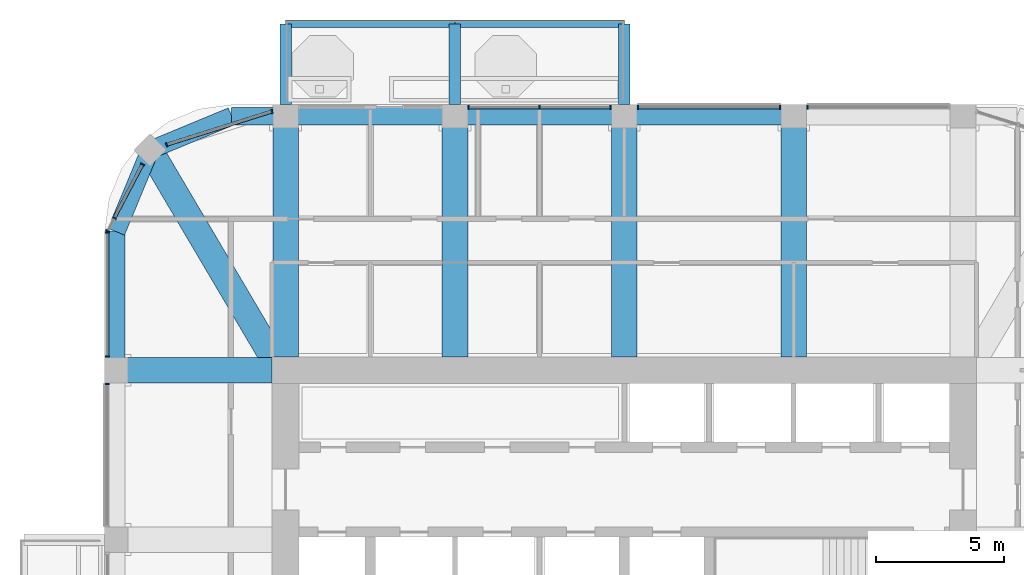
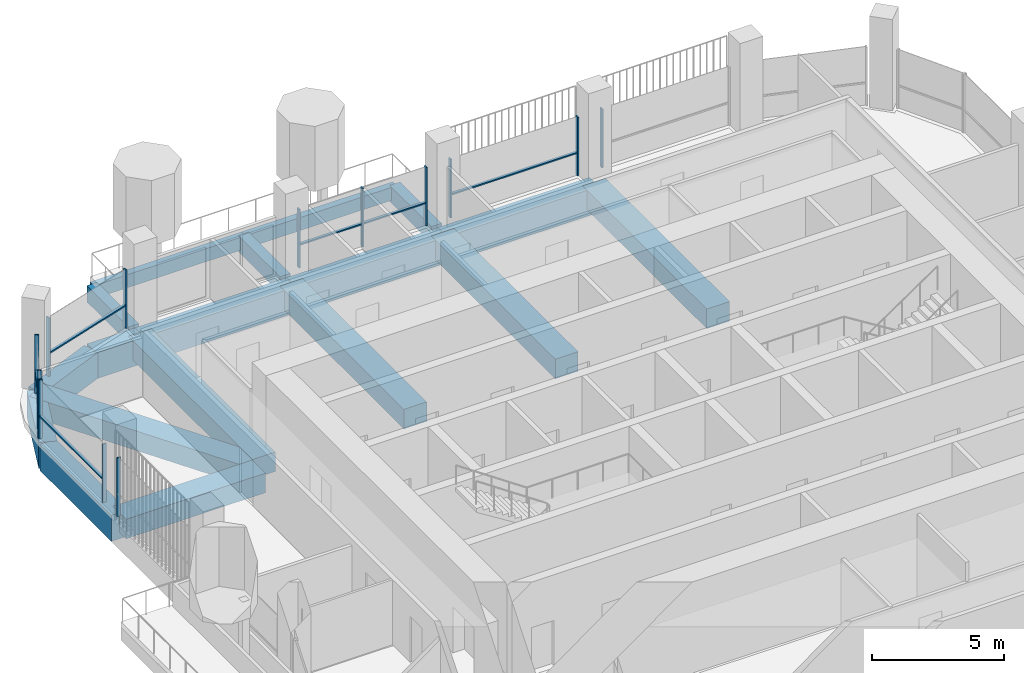
# One storey, part 6 of 20: 20 members, 18 beams, 7 elements without a shape of their own.
"""IFC4 building model written with IfcOpenShell, lengths in metres."""

from ifc_helpers import new_model, si_unit, direction, frame, origin, origin_2d, place, context, subcontext, project, spatial, rectangle, extrude, material, material_profile, profile_set, type_object, element, aggregate, save


model = new_model("IFC4")

# Units and contexts
model_context = context("Model", 3, precision=1e-05, world=origin(), true_north=direction((0.0, 1.0)))
body_context = subcontext(model_context, "Body", "Model", "MODEL_VIEW")
ifc_project = project(units=[si_unit("LENGTHUNIT", "METRE"), si_unit("AREAUNIT", "SQUARE_METRE"), si_unit("VOLUMEUNIT", "CUBIC_METRE"), si_unit("PLANEANGLEUNIT", "RADIAN"), si_unit("MASSUNIT", "GRAM", prefix="KILO")], contexts=[model_context])

# Site, building, storey
site_placement = place(None, origin())
site = spatial("IfcSite", under=ifc_project, at=site_placement, CompositionType="ELEMENT")
building_placement = place(site_placement, origin())
building = spatial("IfcBuilding", under=site, at=building_placement, Name="Cobogo Forest Laboratory Tower", CompositionType="ELEMENT")
storey_placement = place(building_placement, frame((0.0, 0.0, 279.60009765625)))
storey = spatial("IfcBuildingStorey", under=building, at=storey_placement, Name="L64", CompositionType="ELEMENT", Elevation=279.60009765625)

# Beams
ifc_material_1 = material(Name="Concrete HA-40 (C40/50)", Category="concrete")
ifc_material_profile_1 = material_profile(ifc_material_1, rectangle(XDim=0.449951171875, YDim=0.75, at=origin_2d()), Name="RC 450x750")
ifc_profile_set_1 = profile_set([ifc_material_profile_1], Name="Concrete HA-40 (C40/50)")
beam_type_1 = type_object("IfcBeamType", Name="Balcony cantilever beam 450x750", PredefinedType="BEAM", material=ifc_profile_set_1)
for number, where, z_axis, x_axis, name in (
    (1, (13.199951171875, 43.35009765625, -0.625), (0.0, 1.0, 0.0), (-1.0, 0.0, 0.0), "CB1 BAL-N1-C1 L64"),
    (2, (19.800048828125, 43.35009765625, -0.625), (0.0, 1.0, 0.0), (-1.0, 0.0, 0.0), "CB1 BAL-N1-C2 L64"),
    (3, (26.39990234375, 43.35009765625, -0.625), (0.0, 1.0, 0.0), (-1.0, 0.0, 0.0), "CB1 BAL-N1-C3 L64"),
):
    element("IfcBeam", number, at=place(storey_placement, frame(where, z_axis=z_axis, x_axis=x_axis)), inside=storey, type_object=beam_type_1, Name=name, PredefinedType="BEAM", context=body_context, shape_type="SweptSolid", body=[
        extrude(rectangle(XDim=0.449951171875, YDim=0.75, at=origin_2d()), origin(), (0.0, 0.0, 1.0), 3.14990234375),
    ])
ifc_material_profile_2 = material_profile(ifc_material_1, rectangle(XDim=0.300048828125, YDim=0.60009765625, at=origin_2d()), Name="RC 300x600")
ifc_profile_set_2 = profile_set([ifc_material_profile_2], Name="Concrete HA-40 (C40/50)")
beam_type_2 = type_object("IfcBeamType", Name="Balcony edge beam 300x600", PredefinedType="BEAM", material=ifc_profile_set_2)
beam_1_placement = place(storey_placement, frame((13.199951171875, 46.5, -0.550048828125), z_axis=(1.0, 0.0, 0.0), x_axis=(0.0, 1.0, 0.0)))
element("IfcBeam", 4, at=beam_1_placement, inside=storey, type_object=beam_type_2, Name="BB1 BAL-N1-T1 L64", PredefinedType="BEAM", context=body_context, shape_type="SweptSolid", body=[
    extrude(rectangle(XDim=0.300048828125, YDim=0.60009765625, at=origin_2d()), origin(), (0.0, 0.0, 1.0), 6.60009765625),
])
beam_2_placement = place(storey_placement, frame((19.800048828125, 46.5, -0.550048828125), z_axis=(1.0, 0.0, 0.0), x_axis=(0.0, 1.0, 0.0)))
element("IfcBeam", 5, at=beam_2_placement, inside=storey, type_object=beam_type_2, Name="BB1 BAL-N1-T2 L64", PredefinedType="BEAM", context=body_context, shape_type="SweptSolid", body=[
    extrude(rectangle(XDim=0.300048828125, YDim=0.60009765625, at=origin_2d()), origin(), (0.0, 0.0, 1.0), 6.599853515625),
])

# Curtain wall, member
ifc_material_2 = material(Name="Aluminium curtain wall", Category="aluminium")
curtain_wall_type = type_object("IfcCurtainWallType", Name="CW-2 unitised curtain wall, solar control glazing, laboratory floors zones C and D", PredefinedType="USERDEFINED", material=ifc_material_2)
curtain_wall_1_placement = place(storey_placement, origin())
curtain_wall_1 = element("IfcCurtainWall", 6, at=curtain_wall_1_placement, inside=storey, type_object=curtain_wall_type, Name="Curtain wall 14 L64", ObjectType="UNITISED CURTAIN WALL", PredefinedType="USERDEFINED")
ifc_material_3 = material(Name="Aluminium mullion", Category="aluminium")
ifc_material_profile_3 = material_profile(ifc_material_3, rectangle(XDim=0.06005859375, YDim=0.159912109375, at=origin_2d()), Name="AL 60x160")
ifc_profile_set_3 = profile_set([ifc_material_profile_3], Name="Aluminium mullion")
member_type_1 = type_object("IfcMemberType", Name="MU-1 aluminium mullion 60x160", PredefinedType="MULLION", material=ifc_profile_set_3)
member_1_placement = place(storey_placement, frame((33.530029296875, 43.25, 0.0), z_axis=(0.0, 0.0, 1.0), x_axis=(-1.0, 0.0, 0.0)))
member_1 = element("IfcMember", 7, at=member_1_placement, type_object=member_type_1, Name="CW-2 mullion 2", PredefinedType="MULLION", context=body_context, shape_type="SweptSolid", body=[
    extrude(rectangle(XDim=0.06005859375, YDim=0.159912109375, at=origin_2d()), origin(), (0.0, 0.0, 1.0), 2.699951171875),
])
aggregate(curtain_wall_1, [member_1])

# Curtain wall, members
curtain_wall_2_placement = place(storey_placement, origin())
curtain_wall_2 = element("IfcCurtainWall", 8, at=curtain_wall_2_placement, inside=storey, type_object=curtain_wall_type, Name="Curtain wall 15 L64", ObjectType="UNITISED CURTAIN WALL", PredefinedType="USERDEFINED")
member_2_placement = place(storey_placement, frame((32.469970703125, 43.25, 0.0), z_axis=(0.0, 0.0, 1.0), x_axis=(-1.0, 0.0, 0.0)))
member_2 = element("IfcMember", 9, at=member_2_placement, type_object=member_type_1, Name="CW-2 mullion 1", PredefinedType="MULLION", context=body_context, shape_type="SweptSolid", body=[
    extrude(rectangle(XDim=0.06005859375, YDim=0.159912109375, at=origin_2d()), origin(), (0.0, 0.0, 1.0), 2.699951171875),
])
member_3_placement = place(storey_placement, frame((26.929931640625, 43.25, 0.0), z_axis=(0.0, 0.0, 1.0), x_axis=(-1.0, 0.0, 0.0)))
member_3 = element("IfcMember", 10, at=member_3_placement, type_object=member_type_1, Name="CW-2 mullion 2", PredefinedType="MULLION", context=body_context, shape_type="SweptSolid", body=[
    extrude(rectangle(XDim=0.06005859375, YDim=0.159912109375, at=origin_2d()), origin(), (0.0, 0.0, 1.0), 2.699951171875),
])

curtain_wall_3_placement = place(storey_placement, origin())
curtain_wall_3 = element("IfcCurtainWall", 11, at=curtain_wall_3_placement, inside=storey, type_object=curtain_wall_type, Name="Curtain wall 16 L64", ObjectType="UNITISED CURTAIN WALL", PredefinedType="USERDEFINED")
member_4_placement = place(storey_placement, frame((25.8701171875, 43.25, 0.0), z_axis=(0.0, 0.0, 1.0), x_axis=(-1.0, 0.0, 0.0)))
member_4 = element("IfcMember", 12, at=member_4_placement, type_object=member_type_1, Name="CW-2 mullion 1", PredefinedType="MULLION", context=body_context, shape_type="SweptSolid", body=[
    extrude(rectangle(XDim=0.06005859375, YDim=0.159912109375, at=origin_2d()), origin(), (0.0, 0.0, 1.0), 2.699951171875),
])
member_5_placement = place(storey_placement, frame((23.10009765625, 43.25, 0.0), z_axis=(0.0, 0.0, 1.0), x_axis=(-1.0, 0.0, 0.0)))
member_5 = element("IfcMember", 13, at=member_5_placement, type_object=member_type_1, Name="CW-2 mullion 2", PredefinedType="MULLION", context=body_context, shape_type="SweptSolid", body=[
    extrude(rectangle(XDim=0.06005859375, YDim=0.159912109375, at=origin_2d()), origin(), (0.0, 0.0, 1.0), 2.699951171875),
])
member_6_placement = place(storey_placement, frame((20.330078125, 43.25, 0.0), z_axis=(0.0, 0.0, 1.0), x_axis=(-1.0, 0.0, 0.0)))
member_6 = element("IfcMember", 14, at=member_6_placement, type_object=member_type_1, Name="CW-2 mullion 3", PredefinedType="MULLION", context=body_context, shape_type="SweptSolid", body=[
    extrude(rectangle(XDim=0.06005859375, YDim=0.159912109375, at=origin_2d()), origin(), (0.0, 0.0, 1.0), 2.699951171875),
])

curtain_wall_4_placement = place(storey_placement, origin())
curtain_wall_4 = element("IfcCurtainWall", 15, at=curtain_wall_4_placement, inside=storey, type_object=curtain_wall_type, Name="Curtain wall 18 L64", ObjectType="UNITISED CURTAIN WALL", PredefinedType="USERDEFINED")
member_7_placement = place(storey_placement, frame((12.67138671875, 43.0830078125, 0.0), z_axis=(0.0, 0.0, 1.0), x_axis=(-0.953581379409, -0.301135439371, 0.0)))
member_7 = element("IfcMember", 16, at=member_7_placement, type_object=member_type_1, Name="CW-2 mullion 1", PredefinedType="MULLION", context=body_context, shape_type="SweptSolid", body=[
    extrude(rectangle(XDim=0.06005859375, YDim=0.159912109375, at=origin_2d()), origin(), (0.0, 0.0, 1.0), 2.699951171875),
])
member_8_placement = place(storey_placement, frame((8.570068359375, 41.787841796875, 0.0), z_axis=(0.0, 0.0, 1.0), x_axis=(-0.953581379409, -0.301135439371, 0.0)))
member_8 = element("IfcMember", 17, at=member_8_placement, type_object=member_type_1, Name="CW-2 mullion 2", PredefinedType="MULLION", context=body_context, shape_type="SweptSolid", body=[
    extrude(rectangle(XDim=0.06005859375, YDim=0.159912109375, at=origin_2d()), origin(), (0.0, 0.0, 1.0), 2.699951171875),
])

curtain_wall_5_placement = place(storey_placement, origin())
curtain_wall_5 = element("IfcCurtainWall", 18, at=curtain_wall_5_placement, inside=storey, type_object=curtain_wall_type, Name="Curtain wall 19 L64", ObjectType="UNITISED CURTAIN WALL", PredefinedType="USERDEFINED")
member_9_placement = place(storey_placement, frame((7.6220703125, 41.017333984375, 0.0), z_axis=(0.0, 0.0, 1.0), x_axis=(-0.464283778337, -0.885686498245, 0.0)))
member_9 = element("IfcMember", 19, at=member_9_placement, type_object=member_type_1, Name="CW-2 mullion 1", PredefinedType="MULLION", context=body_context, shape_type="SweptSolid", body=[
    extrude(rectangle(XDim=0.06005859375, YDim=0.159912109375, at=origin_2d()), origin(), (0.0, 0.0, 1.0), 2.699951171875),
])
member_10_placement = place(storey_placement, frame((6.531494140625, 38.937255859375, 0.0), z_axis=(0.0, 0.0, 1.0), x_axis=(-0.464283778337, -0.885686498245, 0.0)))
member_10 = element("IfcMember", 20, at=member_10_placement, type_object=member_type_1, Name="CW-2 mullion 2", PredefinedType="MULLION", context=body_context, shape_type="SweptSolid", body=[
    extrude(rectangle(XDim=0.06005859375, YDim=0.159912109375, at=origin_2d()), origin(), (0.0, 0.0, 1.0), 2.699951171875),
])
member_11_placement = place(storey_placement, frame((6.263916015625, 38.426513671875, 0.0), z_axis=(0.0, 0.0, 1.0), x_axis=(-0.464283778337, -0.885686498245, 0.0)))
member_11 = element("IfcMember", 21, at=member_11_placement, type_object=member_type_1, Name="CW-2 mullion 3", PredefinedType="MULLION", context=body_context, shape_type="SweptSolid", body=[
    extrude(rectangle(XDim=0.06005859375, YDim=0.159912109375, at=origin_2d()), origin(), (0.0, 0.0, 1.0), 2.699951171875),
])

curtain_wall_6_placement = place(storey_placement, origin())
curtain_wall_6 = element("IfcCurtainWall", 22, at=curtain_wall_6_placement, inside=storey, type_object=curtain_wall_type, Name="Curtain wall 20 L64", ObjectType="UNITISED CURTAIN WALL", PredefinedType="USERDEFINED")
member_12_placement = place(storey_placement, frame((6.25, 38.3701171875, 0.0), z_axis=(0.0, 0.0, 1.0), x_axis=(0.0, -1.0, 0.0)))
member_12 = element("IfcMember", 23, at=member_12_placement, type_object=member_type_1, Name="CW-2 mullion 1", PredefinedType="MULLION", context=body_context, shape_type="SweptSolid", body=[
    extrude(rectangle(XDim=0.06005859375, YDim=0.159912109375, at=origin_2d()), origin(), (0.0, 0.0, 1.0), 2.699951171875),
])
member_13_placement = place(storey_placement, frame((6.25, 33.530029296875, 0.0), z_axis=(0.0, 0.0, 1.0), x_axis=(0.0, -1.0, 0.0)))
member_13 = element("IfcMember", 24, at=member_13_placement, type_object=member_type_1, Name="CW-2 mullion 2", PredefinedType="MULLION", context=body_context, shape_type="SweptSolid", body=[
    extrude(rectangle(XDim=0.06005859375, YDim=0.159912109375, at=origin_2d()), origin(), (0.0, 0.0, 1.0), 2.699951171875),
])

# Curtain wall, member
curtain_wall_7_placement = place(storey_placement, origin())
curtain_wall_7 = element("IfcCurtainWall", 25, at=curtain_wall_7_placement, inside=storey, type_object=curtain_wall_type, Name="Curtain wall 21 L64", ObjectType="UNITISED CURTAIN WALL", PredefinedType="USERDEFINED")
member_14_placement = place(storey_placement, frame((6.25, 32.469970703125, 0.0), z_axis=(0.0, 0.0, 1.0), x_axis=(0.0, -1.0, 0.0)))
member_14 = element("IfcMember", 26, at=member_14_placement, type_object=member_type_1, Name="CW-2 mullion 1", PredefinedType="MULLION", context=body_context, shape_type="SweptSolid", body=[
    extrude(rectangle(XDim=0.06005859375, YDim=0.159912109375, at=origin_2d()), origin(), (0.0, 0.0, 1.0), 2.699951171875),
])
aggregate(curtain_wall_7, [member_14])

# Beams
ifc_material_profile_4 = material_profile(ifc_material_1, rectangle(XDim=1.0, YDim=0.89990234375, at=origin_2d()), Name="RC 1000x900")
ifc_profile_set_4 = profile_set([ifc_material_profile_4], Name="Concrete HA-40 (C40/50)")
beam_type_3 = type_object("IfcBeamType", Name="Office floor wide beam 1000x900", PredefinedType="BEAM", material=ifc_profile_set_4)
for number, where, z_axis, x_axis, name in (
    (27, (13.199951171875, 33.52490234375, -0.75), (0.0, 1.0, 0.0), (-1.0, 0.0, 0.0), "RB2 R-3-N L64"),
    (28, (19.800048828125, 33.52490234375, -0.75), (0.0, 1.0, 0.0), (-1.0, 0.0, 0.0), "RB2 R-4-N L64"),
    (29, (26.39990234375, 33.52490234375, -0.75), (0.0, 1.0, 0.0), (-1.0, 0.0, 0.0), "RB2 R-5-N L64"),
    (30, (33.0, 33.52490234375, -0.75), (0.0, 1.0, 0.0), (-1.0, 0.0, 0.0), "RB2 R-6-N L64"),
):
    element("IfcBeam", number, at=place(storey_placement, frame(where, z_axis=z_axis, x_axis=x_axis)), inside=storey, type_object=beam_type_3, Name=name, PredefinedType="BEAM", context=body_context, shape_type="SweptSolid", body=[
        extrude(rectangle(XDim=1.0, YDim=0.89990234375, at=origin_2d()), origin(), (0.0, 0.0, 1.0), 9.375),
    ])
beam_3_placement = place(storey_placement, frame((12.675048828125, 33.0, -0.75), z_axis=(-1.0, 0.0, 0.0), x_axis=(0.0, -1.0, 0.0)))
element("IfcBeam", 31, at=beam_3_placement, inside=storey, type_object=beam_type_3, Name="RB2 R-F-W L64", PredefinedType="BEAM", context=body_context, shape_type="SweptSolid", body=[
    extrude(rectangle(XDim=1.0, YDim=0.89990234375, at=origin_2d()), origin(), (0.0, 0.0, 1.0), 6.074951171875),
])
beam_4_placement = place(storey_placement, frame((7.91796875, 41.58203125, -0.75), z_axis=(0.508416325908, -0.861111397875, 0.0), x_axis=(0.861111397875, 0.508416325908, 0.0)))
element("IfcBeam", 32, at=beam_4_placement, inside=storey, type_object=beam_type_3, Name="RB2 G-NW-D1 L64", PredefinedType="BEAM", context=body_context, shape_type="SweptSolid", body=[
    extrude(rectangle(XDim=1.0, YDim=0.89990234375, at=origin_2d()), origin(), (0.0, 0.0, 1.0), 9.356689453125),
])
ifc_material_profile_5 = material_profile(ifc_material_1, rectangle(XDim=0.699951171875, YDim=1.199951171875, at=origin_2d()), Name="RC 700x1200")
ifc_profile_set_5 = profile_set([ifc_material_profile_5], Name="Concrete HA-40 (C40/50)")
beam_type_4 = type_object("IfcBeamType", Name="Perimeter edge beam 700x1200", PredefinedType="BEAM", material=ifc_profile_set_5)
beam_5_placement = place(storey_placement, frame((13.199951171875, 42.89990234375, -0.900146484375), z_axis=(1.0, 0.0, 0.0), x_axis=(0.0, 1.0, 0.0)))
element("IfcBeam", 33, at=beam_5_placement, inside=storey, type_object=beam_type_4, Name="EB1 E-N1 L64", PredefinedType="BEAM", context=body_context, shape_type="SweptSolid", body=[
    extrude(rectangle(XDim=0.699951171875, YDim=1.199951171875, at=origin_2d()), origin(), (0.0, 0.0, 1.0), 6.60009765625),
])
beam_6_placement = place(storey_placement, frame((19.800048828125, 42.89990234375, -0.900146484375), z_axis=(1.0, 0.0, 0.0), x_axis=(0.0, 1.0, 0.0)))
element("IfcBeam", 34, at=beam_6_placement, inside=storey, type_object=beam_type_4, Name="EB1 E-N2 L64", PredefinedType="BEAM", context=body_context, shape_type="SweptSolid", body=[
    extrude(rectangle(XDim=0.699951171875, YDim=1.199951171875, at=origin_2d()), origin(), (0.0, 0.0, 1.0), 6.599853515625),
])
beam_7_placement = place(storey_placement, frame((26.39990234375, 42.89990234375, -0.900146484375), z_axis=(1.0, 0.0, 0.0), x_axis=(0.0, 1.0, 0.0)))
element("IfcBeam", 35, at=beam_7_placement, inside=storey, type_object=beam_type_4, Name="EB1 E-N3 L64", PredefinedType="BEAM", context=body_context, shape_type="SweptSolid", body=[
    extrude(rectangle(XDim=0.699951171875, YDim=1.199951171875, at=origin_2d()), origin(), (0.0, 0.0, 1.0), 6.60009765625),
])
beam_8_placement = place(storey_placement, frame((13.199951171875, 42.89990234375, -0.900146484375), z_axis=(-1.0, 0.0, 0.0), x_axis=(0.0, -1.0, 0.0)))
element("IfcBeam", 36, at=beam_8_placement, inside=storey, type_object=beam_type_4, Name="EB1 E-NWN1 L64", PredefinedType="BEAM", context=body_context, shape_type="SweptSolid", body=[
    extrude(rectangle(XDim=0.699951171875, YDim=1.199951171875, at=origin_2d()), origin(), (0.0, 0.0, 1.0), 2.099853515625),
])
beam_9_placement = place(storey_placement, frame((11.10009765625, 42.89990234375, -0.900146484375), z_axis=(-0.923901072997, -0.382631424892, 0.0), x_axis=(0.382631424892, -0.923901072997, 0.0)))
element("IfcBeam", 37, at=beam_9_placement, inside=storey, type_object=beam_type_4, Name="EB1 E-NWN2 L64", PredefinedType="BEAM", context=body_context, shape_type="SweptSolid", body=[
    extrude(rectangle(XDim=0.699951171875, YDim=1.199951171875, at=origin_2d()), origin(), (0.0, 0.0, 1.0), 3.4443359375),
])
beam_10_placement = place(storey_placement, frame((6.60009765625, 33.0, -0.900146484375), z_axis=(0.0, 1.0, 0.0), x_axis=(-1.0, 0.0, 0.0)))
element("IfcBeam", 38, at=beam_10_placement, inside=storey, type_object=beam_type_4, Name="EB1 E-NWW1 L64", PredefinedType="BEAM", context=body_context, shape_type="SweptSolid", body=[
    extrude(rectangle(XDim=0.699951171875, YDim=1.199951171875, at=origin_2d()), origin(), (0.0, 0.0, 1.0), 5.39990234375),
])
beam_11_placement = place(storey_placement, frame((6.60009765625, 38.39990234375, -0.900146484375), z_axis=(0.382631424892, 0.923901072997, 0.0), x_axis=(-0.923901072997, 0.382631424892, 0.0)))
element("IfcBeam", 39, at=beam_11_placement, inside=storey, type_object=beam_type_4, Name="EB1 E-NWW2 L64", PredefinedType="BEAM", context=body_context, shape_type="SweptSolid", body=[
    extrude(rectangle(XDim=0.699951171875, YDim=1.199951171875, at=origin_2d()), origin(), (0.0, 0.0, 1.0), 3.4443359375),
])

# Member
ifc_material_4 = material(Name="Aluminium transom", Category="aluminium")
ifc_material_profile_6 = material_profile(ifc_material_4, rectangle(XDim=0.1201171875, YDim=0.06005859375, at=origin_2d()), Name="AL 60x120")
ifc_profile_set_6 = profile_set([ifc_material_profile_6], Name="Aluminium transom")
member_type_2 = type_object("IfcMemberType", Name="TR-1 aluminium transom 60x120", PredefinedType="USERDEFINED", material=ifc_profile_set_6)
member_15_placement = place(storey_placement, frame((32.43994140625, 43.25, 1.0498046875), z_axis=(-1.0, 0.0, 0.0), x_axis=(0.0, -1.0, 0.0)))
member_15 = element("IfcMember", 40, at=member_15_placement, type_object=member_type_2, Name="CW-2 transom 1.1", ObjectType="TRANSOM", PredefinedType="USERDEFINED", context=body_context, shape_type="SweptSolid", body=[
    extrude(rectangle(XDim=0.1201171875, YDim=0.06005859375, at=origin_2d()), origin(), (0.0, 0.0, 1.0), 5.47998046875),
])

aggregate(curtain_wall_2, [member_2, member_3, member_15])

member_16_placement = place(storey_placement, frame((25.840087890625, 43.25, 1.0498046875), z_axis=(-1.0, 0.0, 0.0), x_axis=(0.0, -1.0, 0.0)))
member_16 = element("IfcMember", 41, at=member_16_placement, type_object=member_type_2, Name="CW-2 transom 1.1", ObjectType="TRANSOM", PredefinedType="USERDEFINED", context=body_context, shape_type="SweptSolid", body=[
    extrude(rectangle(XDim=0.1201171875, YDim=0.06005859375, at=origin_2d()), origin(), (0.0, 0.0, 1.0), 2.710205078125),
])

member_17_placement = place(storey_placement, frame((23.070068359375, 43.25, 1.0498046875), z_axis=(-1.0, 0.0, 0.0), x_axis=(0.0, -1.0, 0.0)))
member_17 = element("IfcMember", 42, at=member_17_placement, type_object=member_type_2, Name="CW-2 transom 2.1", ObjectType="TRANSOM", PredefinedType="USERDEFINED", context=body_context, shape_type="SweptSolid", body=[
    extrude(rectangle(XDim=0.1201171875, YDim=0.06005859375, at=origin_2d()), origin(), (0.0, 0.0, 1.0), 2.7099609375),
])

aggregate(curtain_wall_3, [member_4, member_5, member_6, member_16, member_17])

member_18_placement = place(storey_placement, frame((12.642822265625, 43.073974609375, 1.0498046875), z_axis=(-0.953583535148, -0.30112861288, 0.0), x_axis=(0.30112861288, -0.953583535148, 0.0)))
member_18 = element("IfcMember", 43, at=member_18_placement, type_object=member_type_2, Name="CW-2 transom 1.1", ObjectType="TRANSOM", PredefinedType="USERDEFINED", context=body_context, shape_type="SweptSolid", body=[
    extrude(rectangle(XDim=0.1201171875, YDim=0.06005859375, at=origin_2d()), origin(), (0.0, 0.0, 1.0), 4.240966796875),
])

aggregate(curtain_wall_4, [member_7, member_8, member_18])

member_19_placement = place(storey_placement, frame((7.608154296875, 40.99072265625, 1.0498046875), z_axis=(-0.464325829823, -0.885664453255, 0.0), x_axis=(0.885664453255, -0.464325829823, 0.0)))
member_19 = element("IfcMember", 44, at=member_19_placement, type_object=member_type_2, Name="CW-2 transom 1.1", ObjectType="TRANSOM", PredefinedType="USERDEFINED", context=body_context, shape_type="SweptSolid", body=[
    extrude(rectangle(XDim=0.1201171875, YDim=0.06005859375, at=origin_2d()), origin(), (0.0, 0.0, 1.0), 2.288818359375),
])

aggregate(curtain_wall_5, [member_9, member_10, member_11, member_19])

member_20_placement = place(storey_placement, frame((6.25, 38.340087890625, 1.0498046875), z_axis=(0.0, -1.0, 0.0), x_axis=(1.0, 0.0, 0.0)))
member_20 = element("IfcMember", 45, at=member_20_placement, type_object=member_type_2, Name="CW-2 transom 1.1", ObjectType="TRANSOM", PredefinedType="USERDEFINED", context=body_context, shape_type="SweptSolid", body=[
    extrude(rectangle(XDim=0.1201171875, YDim=0.06005859375, at=origin_2d()), origin(), (0.0, 0.0, 1.0), 4.780029296875),
])

aggregate(curtain_wall_6, [member_12, member_13, member_20])

save(model, "model.ifc")
